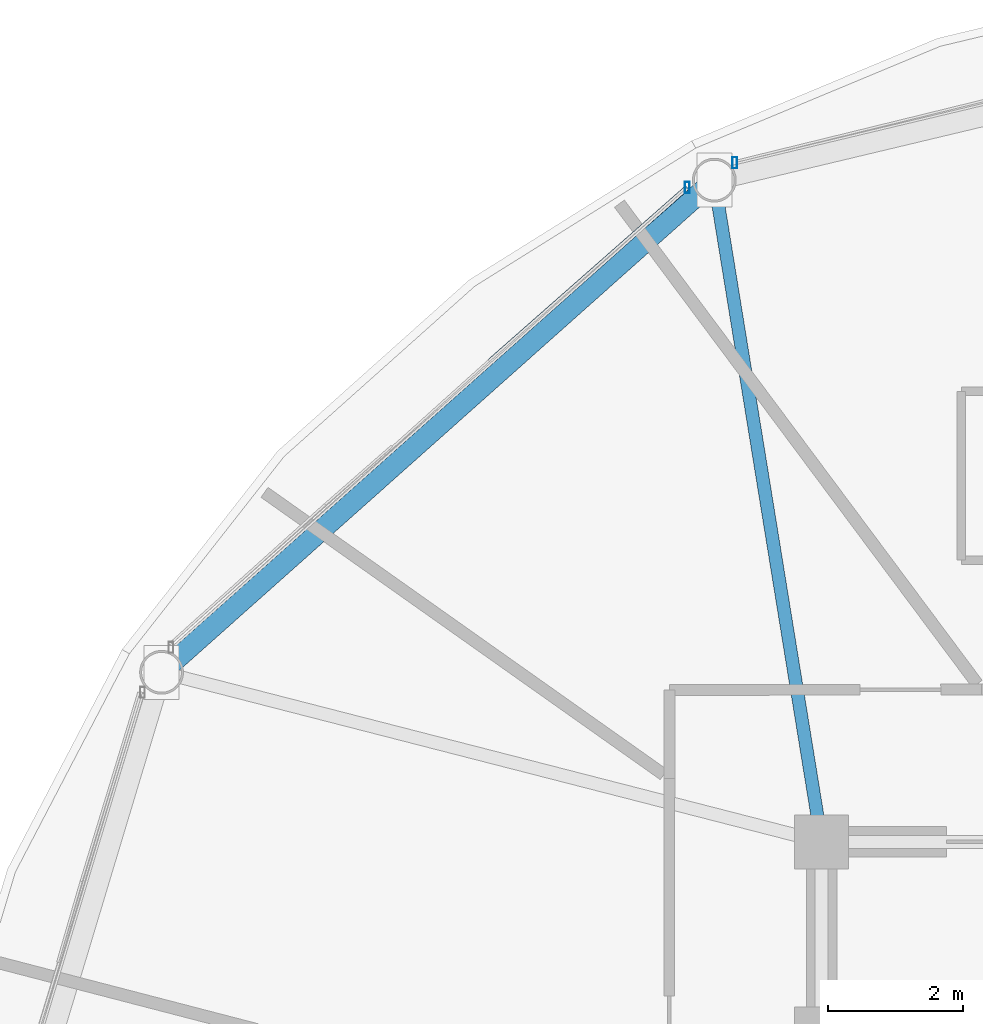
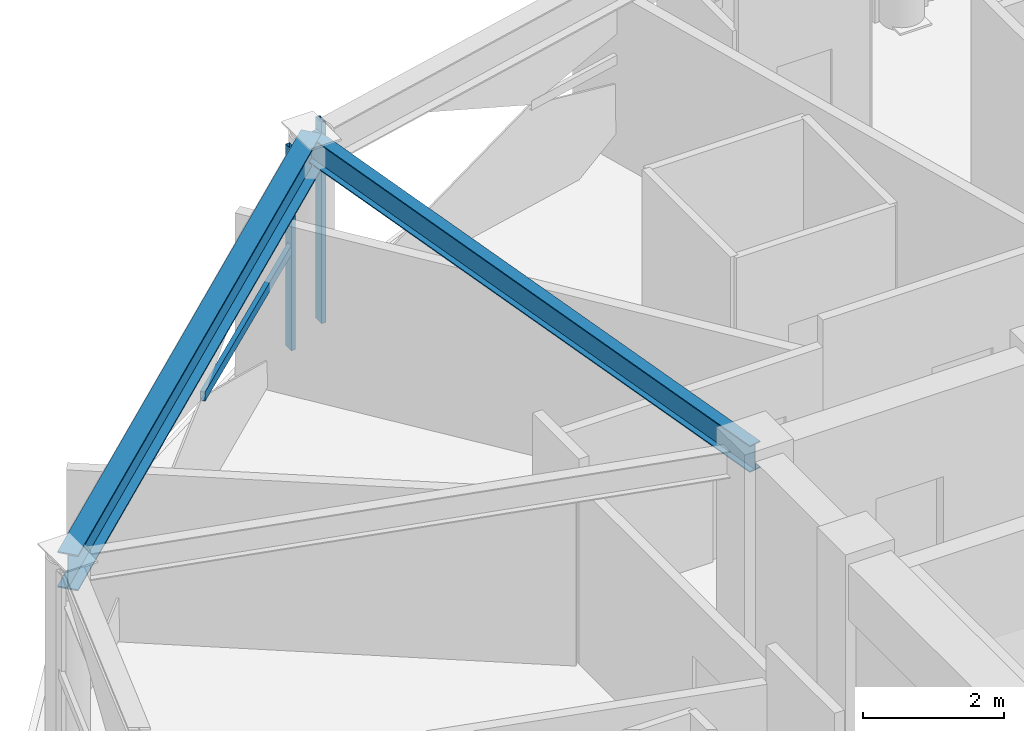
# One storey, part 17 of 30: 3 members, 2 beams, 2 elements without a shape of their own.
"""IFC4 building model written with IfcOpenShell, lengths in metres."""

from ifc_helpers import new_model, si_unit, direction, frame, origin, origin_2d, place, context, subcontext, project, spatial, hollow_rectangle, i_section, extrude, material, layer, layer_set, material_profile, profile_set, type_object, element, aggregate, save


model = new_model("IFC4")

# Units and contexts
model_context = context("Model", 3, precision=1e-05, world=origin(), true_north=direction((0.0, 1.0)))
body_context = subcontext(model_context, "Body", "Model", "MODEL_VIEW")
ifc_project = project(units=[si_unit("LENGTHUNIT", "METRE"), si_unit("AREAUNIT", "SQUARE_METRE"), si_unit("VOLUMEUNIT", "CUBIC_METRE"), si_unit("PLANEANGLEUNIT", "RADIAN"), si_unit("MASSUNIT", "GRAM", prefix="KILO")], contexts=[model_context])

# Site, building, storey
site_placement = place(None, origin())
site = spatial("IfcSite", under=ifc_project, at=site_placement, CompositionType="ELEMENT")
building_placement = place(site_placement, origin())
building = spatial("IfcBuilding", under=site, at=building_placement, Name="Vantalir Tower", CompositionType="ELEMENT")
storey_placement = place(building_placement, frame((0.0, 0.0, 201.14990234375)))
storey = spatial("IfcBuildingStorey", under=building, at=storey_placement, Name="L50", CompositionType="ELEMENT", Elevation=201.14990234375)

# Beams
ifc_material_1 = material(Name="Steel S355", Category="steel")
ifc_material_profile_1 = material_profile(ifc_material_1, i_section(OverallWidth=0.19189453125, OverallDepth=0.462890625, WebThickness=0.010498046875, FlangeThickness=0.017578125, at=origin_2d()), Name="Steel S355")
ifc_profile_set_1 = profile_set([ifc_material_profile_1], Name="Steel S355")
beam_type_1 = type_object("IfcBeamType", Name="BM-RB-457x191", PredefinedType="BEAM", material=ifc_profile_set_1)
beam_1_placement = place(storey_placement, frame((20.30908203125, 42.256103515625, 3.338134765625), z_axis=(0.160133287639, -0.987095400754, 0.0), x_axis=(0.987095400754, 0.160133287639, 0.0)))
element("IfcBeam", 1, at=beam_1_placement, inside=storey, type_object=beam_type_1, Name="L50 Radial Floor Beam 05", PredefinedType="BEAM", context=body_context, shape_type="SweptSolid", body=[
    extrude(i_section(OverallWidth=0.19189453125, OverallDepth=0.462890625, WebThickness=0.010498046875, FlangeThickness=0.017578125, at=origin_2d()), origin(), (0.0, 0.0, 1.0), 9.934326171875),
])
ifc_material_2 = material(Name="Steel S460", Category="steel")
ifc_material_profile_2 = material_profile(ifc_material_2, i_section(OverallWidth=0.306884765625, OverallDepth=0.6201171875, WebThickness=0.01416015625, FlangeThickness=0.023681640625, at=origin_2d()), Name="Steel S460")
ifc_profile_set_2 = profile_set([ifc_material_profile_2], Name="Steel S460")
beam_type_2 = type_object("IfcBeamType", Name="BM-RG-610x305", PredefinedType="USERDEFINED", material=ifc_profile_set_2)
beam_2_placement = place(storey_placement, frame((20.30908203125, 42.256103515625, 3.260009765625), z_axis=(-0.74685277092, -0.664989427411, 0.0), x_axis=(0.664989427411, -0.74685277092, 0.0)))
element("IfcBeam", 2, at=beam_2_placement, inside=storey, type_object=beam_type_2, Name="L50 Circumferential Ring Girder 05", ObjectType="GIRDER", PredefinedType="USERDEFINED", context=body_context, shape_type="SweptSolid", body=[
    extrude(i_section(OverallWidth=0.306884765625, OverallDepth=0.6201171875, WebThickness=0.01416015625, FlangeThickness=0.023681640625, at=origin_2d()), origin(), (0.0, 0.0, 1.0), 10.968994140625),
])

# Curtain wall, member
ifc_material_3 = material(Name="Champagne-silver PVDF aluminium and double-silver Low-E glass", Category="aluminium")
ifc_layer = layer(ifc_material_3, 0.2099609375)
ifc_layer_set = layer_set([ifc_layer], Name="Champagne-silver PVDF aluminium and double-silver Low-E glass")
curtain_wall_type = type_object("IfcCurtainWallType", Name="CW-DIAMOND-Z3", PredefinedType="USERDEFINED", material=ifc_layer_set)
curtain_wall_1_placement = place(storey_placement, origin())
curtain_wall_1 = element("IfcCurtainWall", 3, at=curtain_wall_1_placement, inside=storey, type_object=curtain_wall_type, Name="L50 Quilted Pyramid-Diamond Curtain Wall S04", ObjectType="UNITISED CURTAIN WALL", PredefinedType="USERDEFINED")
ifc_material_4 = material(Name="Champagne-silver PVDF aluminium 6063-T6", Category="aluminium")
ifc_material_profile_3 = material_profile(ifc_material_4, hollow_rectangle(XDim=0.070068359375, YDim=0.1650390625, WallThickness=0.00390625, at=origin_2d()), Name="Champagne-silver PVDF aluminium 6063-T6")
ifc_profile_set_3 = profile_set([ifc_material_profile_3], Name="Champagne-silver PVDF aluminium 6063-T6")
member_type_1 = type_object("IfcMemberType", Name="CWM-165x70", PredefinedType="MULLION", material=ifc_profile_set_3)
member_1_placement = place(storey_placement, frame((20.613037109375, 42.514892578125, 0.045166015625), z_axis=(0.0, 0.0, 1.0), x_axis=(1.0, 0.0, 0.0)))
member_1 = element("IfcMember", 4, at=member_1_placement, type_object=member_type_1, Name="CW-L50-S04 Mullion 2", PredefinedType="MULLION", context=body_context, shape_type="SweptSolid", body=[
    extrude(hollow_rectangle(XDim=0.070068359375, YDim=0.1650390625, WallThickness=0.00390625, at=origin_2d()), origin(), (0.0, 0.0, 1.0), 3.47998046875),
])
aggregate(curtain_wall_1, [member_1])

# Curtain wall, members
curtain_wall_2_placement = place(storey_placement, origin())
curtain_wall_2 = element("IfcCurtainWall", 5, at=curtain_wall_2_placement, inside=storey, type_object=curtain_wall_type, Name="L50 Quilted Pyramid-Diamond Curtain Wall S05", ObjectType="UNITISED CURTAIN WALL", PredefinedType="USERDEFINED")
member_2_placement = place(storey_placement, frame((19.907958984375, 42.14697265625, 0.045166015625), z_axis=(0.0, 0.0, 1.0), x_axis=(1.0, 0.0, 0.0)))
member_2 = element("IfcMember", 6, at=member_2_placement, type_object=member_type_1, Name="CW-L50-S05 Mullion 1", PredefinedType="MULLION", context=body_context, shape_type="SweptSolid", body=[
    extrude(hollow_rectangle(XDim=0.070068359375, YDim=0.1650390625, WallThickness=0.00390625, at=origin_2d()), origin(), (0.0, 0.0, 1.0), 3.47998046875),
])
ifc_material_profile_4 = material_profile(ifc_material_4, hollow_rectangle(XDim=0.074951171875, YDim=0.159912109375, WallThickness=0.00390625, at=origin_2d()), Name="Champagne-silver PVDF aluminium 6063-T6")
ifc_profile_set_4 = profile_set([ifc_material_profile_4], Name="Champagne-silver PVDF aluminium 6063-T6")
member_type_2 = type_object("IfcMemberType", Name="CWT-160x75", PredefinedType="USERDEFINED", material=ifc_profile_set_4)
member_3_placement = place(storey_placement, frame((19.907958984375, 42.14697265625, 1.78515625), z_axis=(-0.750737142137, -0.660601047089, 0.0), x_axis=(0.660601047089, -0.750737142137, 0.0)))
member_3 = element("IfcMember", 7, at=member_3_placement, type_object=member_type_2, Name="CW-L50-S05 Pyramid Fold Ridge Transom", ObjectType="TRANSOM", PredefinedType="USERDEFINED", context=body_context, shape_type="SweptSolid", body=[
    extrude(hollow_rectangle(XDim=0.074951171875, YDim=0.159912109375, WallThickness=0.00390625, at=origin_2d()), origin(), (0.0, 0.0, 1.0), 3.89501953125),
])
aggregate(curtain_wall_2, [member_2, member_3])

save(model, "model.ifc")
